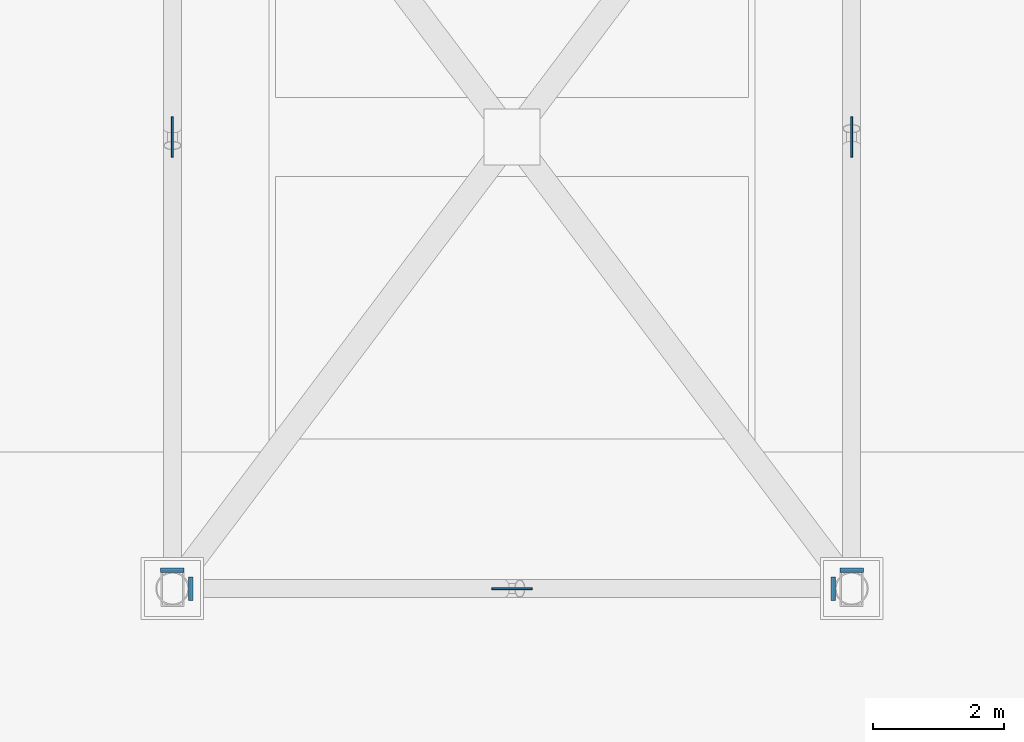
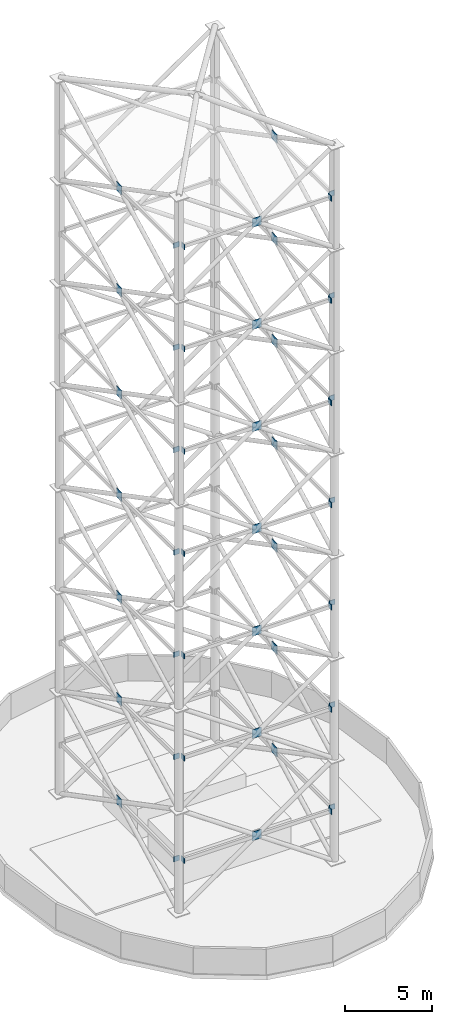
# One storey, part 4 of 7: 49 plates.
"""IFC4 building model written with IfcOpenShell, lengths in metres."""

from ifc_helpers import new_model, si_unit, direction, frame, origin, origin_2d, place, context, subcontext, project, spatial, rectangle, extrude, source, transform, mapped, material, layer, layer_set, type_object, element, save


model = new_model("IFC4")

# Units and contexts
model_context = context("Model", 3, precision=1e-05, world=origin(), true_north=direction((0.0, 1.0)))
body_context = subcontext(model_context, "Body", "Model", "MODEL_VIEW")
ifc_project = project(units=[si_unit("LENGTHUNIT", "METRE"), si_unit("AREAUNIT", "SQUARE_METRE"), si_unit("VOLUMEUNIT", "CUBIC_METRE"), si_unit("PLANEANGLEUNIT", "RADIAN"), si_unit("MASSUNIT", "GRAM", prefix="KILO")], contexts=[model_context])

# Site, building, storey
site_placement = place(None, origin())
site = spatial("IfcSite", under=ifc_project, at=site_placement, CompositionType="ELEMENT")
building_placement = place(site_placement, origin())
building = spatial("IfcBuilding", under=site, at=building_placement, Name="Cununo Teusaquillo Station Towers", CompositionType="ELEMENT")
storey_placement = place(building_placement, frame((0.0, 0.0, 244.830078125)))
storey = spatial("IfcBuildingStorey", under=building, at=storey_placement, Name="Roof Drum", CompositionType="ELEMENT", Elevation=244.830078125)

# Plates
ifc_material_1 = material(Name="Steel ASTM A572 Grade 50", Category="steel")
ifc_layer_1 = layer(ifc_material_1, 0.0400390625)
ifc_layer_set_1 = layer_set([ifc_layer_1], Name="Steel ASTM A572 Grade 50")
plate_type_1 = type_object("IfcPlateType", Name="PLT-NODE-CRN1", PredefinedType="USERDEFINED", material=ifc_layer_set_1)
shared_shape_1 = source(origin(), body_context, "Body", "SweptSolid", [
    extrude(rectangle(XDim=0.044921875, YDim=0.360107421875, at=origin_2d()), origin(), (0.0, 0.0, 1.0), 0.360107421875),
])
for number, where, z_axis, x_axis, name in (
    (1, (11.593994140625, 17.6201171875, 3.419921875), (0.0, 0.0, 1.0), (1.0, 0.0, 0.0), "Broadcast Mast Collar Sealed End Plate 1.1A"),
    (2, (21.406005859375, 17.6201171875, 3.419921875), (0.0, 0.0, 1.0), (1.0, 0.0, 0.0), "Broadcast Mast Collar Sealed End Plate 1.1B"),
    (3, (21.675048828125, 17.888916015625, 3.419921875), (0.0, 0.0, 1.0), (0.0, 1.0, 0.0), "Broadcast Mast Collar Sealed End Plate 1.2A"),
    (4, (11.324951171875, 17.888916015625, 3.419921875), (0.0, 0.0, 1.0), (0.0, -1.0, 0.0), "Broadcast Mast Collar Sealed End Plate 1.4B"),
    (5, (11.593994140625, 17.6201171875, 10.61962890625), (0.0, 0.0, 1.0), (1.0, 0.0, 0.0), "Broadcast Mast Collar Sealed End Plate 2.1A"),
    (6, (21.406005859375, 17.6201171875, 10.61962890625), (0.0, 0.0, 1.0), (1.0, 0.0, 0.0), "Broadcast Mast Collar Sealed End Plate 2.1B"),
    (7, (21.675048828125, 17.888916015625, 10.61962890625), (0.0, 0.0, 1.0), (0.0, 1.0, 0.0), "Broadcast Mast Collar Sealed End Plate 2.2A"),
    (8, (11.324951171875, 17.888916015625, 10.61962890625), (0.0, 0.0, 1.0), (0.0, -1.0, 0.0), "Broadcast Mast Collar Sealed End Plate 2.4B"),
    (9, (11.593994140625, 17.6201171875, 17.81982421875), (0.0, 0.0, 1.0), (1.0, 0.0, 0.0), "Broadcast Mast Collar Sealed End Plate 3.1A"),
    (10, (21.406005859375, 17.6201171875, 17.81982421875), (0.0, 0.0, 1.0), (1.0, 0.0, 0.0), "Broadcast Mast Collar Sealed End Plate 3.1B"),
    (11, (21.675048828125, 17.888916015625, 17.81982421875), (0.0, 0.0, 1.0), (0.0, 1.0, 0.0), "Broadcast Mast Collar Sealed End Plate 3.2A"),
    (12, (11.324951171875, 17.888916015625, 17.81982421875), (0.0, 0.0, 1.0), (0.0, -1.0, 0.0), "Broadcast Mast Collar Sealed End Plate 3.4B"),
    (13, (11.593994140625, 17.6201171875, 25.02001953125), (0.0, 0.0, 1.0), (1.0, 0.0, 0.0), "Broadcast Mast Collar Sealed End Plate 4.1A"),
    (14, (21.406005859375, 17.6201171875, 25.02001953125), (0.0, 0.0, 1.0), (1.0, 0.0, 0.0), "Broadcast Mast Collar Sealed End Plate 4.1B"),
    (15, (21.675048828125, 17.888916015625, 25.02001953125), (0.0, 0.0, 1.0), (0.0, 1.0, 0.0), "Broadcast Mast Collar Sealed End Plate 4.2A"),
    (16, (11.324951171875, 17.888916015625, 25.02001953125), (0.0, 0.0, 1.0), (0.0, -1.0, 0.0), "Broadcast Mast Collar Sealed End Plate 4.4B"),
    (17, (11.614990234375, 17.6201171875, 32.2197265625), (0.0, 0.0, 1.0), (1.0, 0.0, 0.0), "Broadcast Mast Collar Sealed End Plate 5.1A"),
    (18, (21.385009765625, 17.6201171875, 32.2197265625), (0.0, 0.0, 1.0), (1.0, 0.0, 0.0), "Broadcast Mast Collar Sealed End Plate 5.1B"),
    (19, (21.675048828125, 17.909912109375, 32.2197265625), (0.0, 0.0, 1.0), (0.0, 1.0, 0.0), "Broadcast Mast Collar Sealed End Plate 5.2A"),
    (20, (11.324951171875, 17.909912109375, 32.2197265625), (0.0, 0.0, 1.0), (0.0, -1.0, 0.0), "Broadcast Mast Collar Sealed End Plate 5.4B"),
    (21, (11.614990234375, 17.6201171875, 39.419921875), (0.0, 0.0, 1.0), (1.0, 0.0, 0.0), "Broadcast Mast Collar Sealed End Plate 6.1A"),
    (22, (21.385009765625, 17.6201171875, 39.419921875), (0.0, 0.0, 1.0), (1.0, 0.0, 0.0), "Broadcast Mast Collar Sealed End Plate 6.1B"),
    (23, (21.675048828125, 17.909912109375, 39.419921875), (0.0, 0.0, 1.0), (0.0, 1.0, 0.0), "Broadcast Mast Collar Sealed End Plate 6.2A"),
    (24, (11.324951171875, 17.909912109375, 39.419921875), (0.0, 0.0, 1.0), (0.0, -1.0, 0.0), "Broadcast Mast Collar Sealed End Plate 6.4B"),
    (25, (11.614990234375, 17.6201171875, 46.61962890625), (0.0, 0.0, 1.0), (1.0, 0.0, 0.0), "Broadcast Mast Collar Sealed End Plate 7.1A"),
    (26, (21.385009765625, 17.6201171875, 46.61962890625), (0.0, 0.0, 1.0), (1.0, 0.0, 0.0), "Broadcast Mast Collar Sealed End Plate 7.1B"),
    (27, (21.675048828125, 17.909912109375, 46.61962890625), (0.0, 0.0, 1.0), (0.0, 1.0, 0.0), "Broadcast Mast Collar Sealed End Plate 7.2A"),
    (28, (11.324951171875, 17.909912109375, 46.61962890625), (0.0, 0.0, 1.0), (0.0, -1.0, 0.0), "Broadcast Mast Collar Sealed End Plate 7.4B"),
):
    element("IfcPlate", number, at=place(storey_placement, frame(where, z_axis=z_axis, x_axis=x_axis)), inside=storey, type_object=plate_type_1, Name=name, ObjectType="GUSSET PLATE", PredefinedType="USERDEFINED", context=body_context, shape_type="MappedRepresentation", body=[
        mapped(shared_shape_1, transform((0.0, 0.0, 0.0), x_axis=(1.0, 0.0, 0.0), y_axis=(0.0, 1.0, 0.0), z_axis=(0.0, 0.0, 1.0), scale=1.0)),
    ])
ifc_material_2 = material(Name="Steel ASTM A572 Grade 50", Category="steel")
ifc_layer_2 = layer(ifc_material_2, 0.030029296875)
ifc_layer_set_2 = layer_set([ifc_layer_2], Name="Steel ASTM A572 Grade 50")
plate_type_2 = type_object("IfcPlateType", Name="PLT-NODE-XBR", PredefinedType="USERDEFINED", material=ifc_layer_set_2)
shared_shape_2 = source(origin(), body_context, "Body", "SweptSolid", [
    extrude(rectangle(XDim=0.6201171875, YDim=0.030029296875, at=origin_2d()), origin(), (0.0, 0.0, 1.0), 0.6201171875),
])
for number, where, z_axis, x_axis, name in (
    (29, (16.5, 17.6201171875, 3.289794921875), (0.0, 0.0, 1.0), (1.0, 0.0, 0.0), "Broadcast Mast X-Crossing Gusset XBP1 1.1"),
    (30, (21.675048828125, 24.5, 3.289794921875), (0.0, 0.0, 1.0), (0.0, 1.0, 0.0), "Broadcast Mast X-Crossing Gusset XBP1 1.2"),
    (31, (11.324951171875, 24.5, 3.289794921875), (0.0, 0.0, 1.0), (0.0, -1.0, 0.0), "Broadcast Mast X-Crossing Gusset XBP1 1.4"),
    (32, (16.5, 17.6201171875, 10.48974609375), (0.0, 0.0, 1.0), (1.0, 0.0, 0.0), "Broadcast Mast X-Crossing Gusset XBP1 2.1"),
    (33, (21.675048828125, 24.5, 10.48974609375), (0.0, 0.0, 1.0), (0.0, 1.0, 0.0), "Broadcast Mast X-Crossing Gusset XBP1 2.2"),
    (34, (11.324951171875, 24.5, 10.48974609375), (0.0, 0.0, 1.0), (0.0, -1.0, 0.0), "Broadcast Mast X-Crossing Gusset XBP1 2.4"),
    (35, (16.5, 17.6201171875, 17.68994140625), (0.0, 0.0, 1.0), (1.0, 0.0, 0.0), "Broadcast Mast X-Crossing Gusset XBP1 3.1"),
    (36, (21.675048828125, 24.5, 17.68994140625), (0.0, 0.0, 1.0), (0.0, 1.0, 0.0), "Broadcast Mast X-Crossing Gusset XBP1 3.2"),
    (37, (11.324951171875, 24.5, 17.68994140625), (0.0, 0.0, 1.0), (0.0, -1.0, 0.0), "Broadcast Mast X-Crossing Gusset XBP1 3.4"),
    (38, (16.5, 17.6201171875, 24.889892578125), (0.0, 0.0, 1.0), (1.0, 0.0, 0.0), "Broadcast Mast X-Crossing Gusset XBP1 4.1"),
    (39, (21.675048828125, 24.5, 24.889892578125), (0.0, 0.0, 1.0), (0.0, 1.0, 0.0), "Broadcast Mast X-Crossing Gusset XBP1 4.2"),
    (40, (11.324951171875, 24.5, 24.889892578125), (0.0, 0.0, 1.0), (0.0, -1.0, 0.0), "Broadcast Mast X-Crossing Gusset XBP1 4.4"),
    (41, (16.5, 17.6201171875, 32.08984375), (0.0, 0.0, 1.0), (1.0, 0.0, 0.0), "Broadcast Mast X-Crossing Gusset XBP1 5.1"),
    (42, (21.675048828125, 24.5, 32.08984375), (0.0, 0.0, 1.0), (0.0, 1.0, 0.0), "Broadcast Mast X-Crossing Gusset XBP1 5.2"),
    (43, (11.324951171875, 24.5, 32.08984375), (0.0, 0.0, 1.0), (0.0, -1.0, 0.0), "Broadcast Mast X-Crossing Gusset XBP1 5.4"),
    (44, (16.5, 17.6201171875, 39.289794921875), (0.0, 0.0, 1.0), (1.0, 0.0, 0.0), "Broadcast Mast X-Crossing Gusset XBP1 6.1"),
    (45, (21.675048828125, 24.5, 39.289794921875), (0.0, 0.0, 1.0), (0.0, 1.0, 0.0), "Broadcast Mast X-Crossing Gusset XBP1 6.2"),
    (46, (11.324951171875, 24.5, 39.289794921875), (0.0, 0.0, 1.0), (0.0, -1.0, 0.0), "Broadcast Mast X-Crossing Gusset XBP1 6.4"),
    (47, (16.5, 17.6201171875, 46.48974609375), (0.0, 0.0, 1.0), (1.0, 0.0, 0.0), "Broadcast Mast X-Crossing Gusset XBP1 7.1"),
    (48, (21.675048828125, 24.5, 46.48974609375), (0.0, 0.0, 1.0), (0.0, 1.0, 0.0), "Broadcast Mast X-Crossing Gusset XBP1 7.2"),
    (49, (11.324951171875, 24.5, 46.48974609375), (0.0, 0.0, 1.0), (0.0, -1.0, 0.0), "Broadcast Mast X-Crossing Gusset XBP1 7.4"),
):
    element("IfcPlate", number, at=place(storey_placement, frame(where, z_axis=z_axis, x_axis=x_axis)), inside=storey, type_object=plate_type_2, Name=name, ObjectType="GUSSET PLATE", PredefinedType="USERDEFINED", context=body_context, shape_type="MappedRepresentation", body=[
        mapped(shared_shape_2, transform((0.0, 0.0, 0.0), x_axis=(1.0, 0.0, 0.0), y_axis=(0.0, 1.0, 0.0), z_axis=(0.0, 0.0, 1.0), scale=1.0)),
    ])

save(model, "model.ifc")
